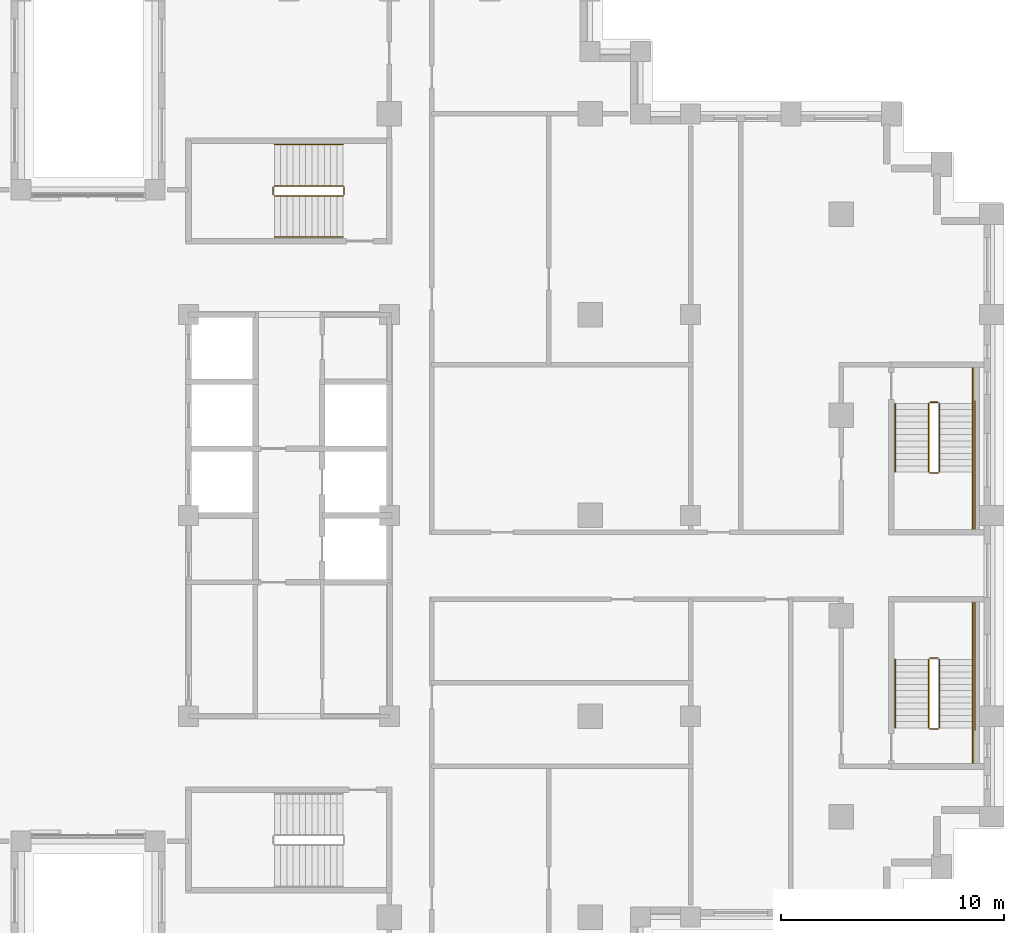
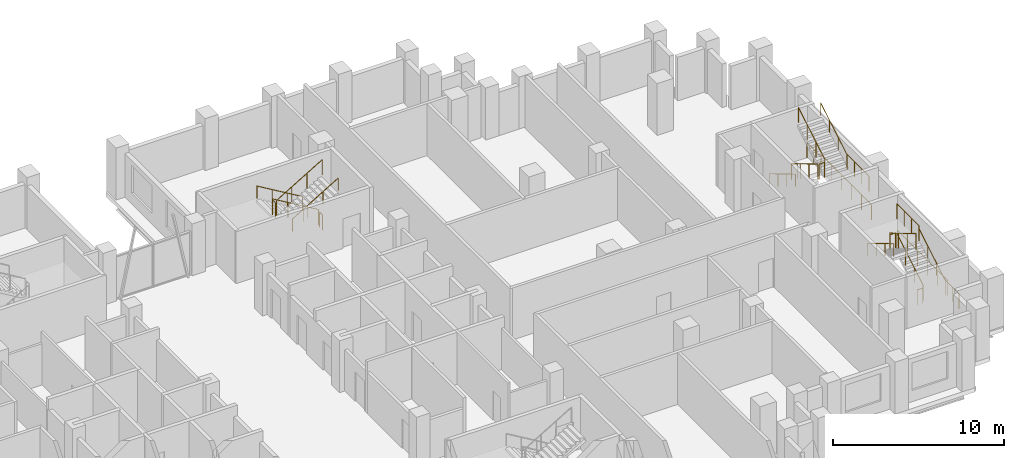
# One storey, part 16 of 16: 3 railings.
"""IFC4 building model written with IfcOpenShell, lengths in metres."""

from ifc_helpers import new_model, si_unit, direction, frame, origin, origin_2d, place, context, subcontext, project, spatial, circle, extrude, material, type_object, element, save


model = new_model("IFC4")

# Units and contexts
model_context = context("Model", 3, precision=1e-05, world=origin(), true_north=direction((0.0, 1.0)))
body_context = subcontext(model_context, "Body", "Model", "MODEL_VIEW")
ifc_project = project(units=[si_unit("LENGTHUNIT", "METRE"), si_unit("AREAUNIT", "SQUARE_METRE"), si_unit("VOLUMEUNIT", "CUBIC_METRE"), si_unit("PLANEANGLEUNIT", "RADIAN"), si_unit("MASSUNIT", "GRAM", prefix="KILO")], contexts=[model_context])

# Site, building, storey
site_placement = place(None, origin())
site = spatial("IfcSite", under=ifc_project, at=site_placement, CompositionType="ELEMENT")
building_placement = place(site_placement, origin())
building = spatial("IfcBuilding", under=site, at=building_placement, Name="Corbelhall Arena Tower", CompositionType="ELEMENT")
storey_placement = place(building_placement, frame((0.0, 0.0, 170.0)))
storey = spatial("IfcBuildingStorey", under=building, at=storey_placement, Name="L34", CompositionType="ELEMENT", Elevation=170.0)

# Railings
ifc_material = material(Name="Steel ASTM A500 Gr C", Category="steel")
railing_type = type_object("IfcRailingType", Name="IN-GD-1100", PredefinedType="GUARDRAIL", material=ifc_material)
railing_1_placement = place(storey_placement, frame((11.425048828125, 14.77490234375, 0.166748046875)))
element("IfcRailing", 1, at=railing_1_placement, inside=storey, type_object=railing_type, Name="L34 ST3 stair guards and handrails", PredefinedType="GUARDRAIL", context=body_context, shape_type="SweptSolid", body=[
    extrude(circle(Radius=0.02392578125, at=origin_2d()), frame((0.0, 0.0, 1.076171875), z_axis=(-0.859308565015, 0.0, 0.511457515432), x_axis=(0.0, -1.0, 0.0)), (0.0, 0.0, 1.0), 3.58447265625),
    extrude(circle(Radius=0.02392578125, at=origin_2d()), frame((-3.130126953125, -0.0498046875, 2.9091796875), z_axis=(0.0, -1.0, 0.0), x_axis=(1.0, 0.0, 0.0)), (0.0, 0.0, 1.0), 0.35009765625),
    extrude(circle(Radius=0.02392578125, at=origin_2d()), frame((-3.080078125, -0.449951171875, 3.076171875), z_axis=(0.859308565015, 0.0, 0.511457515432), x_axis=(0.0, 1.0, 0.0)), (0.0, 0.0, 1.0), 3.58447265625),
    extrude(circle(Radius=0.02392578125, at=origin_2d()), frame((0.050048828125, -0.0498046875, 0.9091796875), z_axis=(0.0, -1.0, 0.0), x_axis=(1.0, 0.0, 0.0)), (0.0, 0.0, 1.0), 0.35009765625),
    extrude(circle(Radius=0.02392578125, at=origin_2d()), frame((0.0, 1.85009765625, 0.8759765625), z_axis=(-0.859308565015, 0.0, 0.511457515432), x_axis=(0.0, -1.0, 0.0)), (0.0, 0.0, 1.0), 3.58447265625),
    extrude(circle(Radius=0.02392578125, at=origin_2d()), frame((-3.080078125, -2.2998046875, 2.8759765625), z_axis=(0.859308565015, 0.0, 0.511457515432), x_axis=(0.0, 1.0, 0.0)), (0.0, 0.0, 1.0), 3.58447265625),
    extrude(circle(Radius=0.02099609375, at=origin_2d()), origin(), (0.0, 0.0, 1.0), 1.052001953125),
    extrude(circle(Radius=0.02099609375, at=origin_2d()), frame((-1.026611328125, 0.0, 0.611083984375)), (0.0, 0.0, 1.0), 1.052001953125),
    extrude(circle(Radius=0.02099609375, at=origin_2d()), frame((-2.053466796875, 0.0, 1.22216796875)), (0.0, 0.0, 1.0), 1.052001953125),
    extrude(circle(Radius=0.02099609375, at=origin_2d()), frame((-3.080078125, 0.0, 1.833251953125)), (0.0, 0.0, 1.0), 1.052001953125),
    extrude(circle(Radius=0.02099609375, at=origin_2d()), frame((-3.130126953125, -0.0498046875, 1.833251953125)), (0.0, 0.0, 1.0), 1.052001953125),
    extrude(circle(Radius=0.02099609375, at=origin_2d()), frame((-3.130126953125, -0.39990234375, 1.833251953125)), (0.0, 0.0, 1.0), 1.052001953125),
    extrude(circle(Radius=0.02099609375, at=origin_2d()), frame((-3.080078125, -0.449951171875, 2.0)), (0.0, 0.0, 1.0), 1.052001953125),
    extrude(circle(Radius=0.02099609375, at=origin_2d()), frame((-2.053466796875, -0.449951171875, 2.611083984375)), (0.0, 0.0, 1.0), 1.052001953125),
    extrude(circle(Radius=0.02099609375, at=origin_2d()), frame((-1.026611328125, -0.449951171875, 3.22216796875)), (0.0, 0.0, 1.0), 1.052001953125),
    extrude(circle(Radius=0.02099609375, at=origin_2d()), frame((0.0, -0.449951171875, 3.833251953125)), (0.0, 0.0, 1.0), 1.052001953125),
    extrude(circle(Radius=0.02099609375, at=origin_2d()), frame((0.050048828125, -0.0498046875, -0.166748046875)), (0.0, 0.0, 1.0), 1.052001953125),
    extrude(circle(Radius=0.02099609375, at=origin_2d()), frame((0.050048828125, -0.39990234375, -0.166748046875)), (0.0, 0.0, 1.0), 1.052001953125),
    extrude(circle(Radius=0.02099609375, at=origin_2d()), frame((0.0, 1.85009765625, 0.0)), (0.0, 0.0, 1.0), 0.851806640625),
    extrude(circle(Radius=0.02099609375, at=origin_2d()), frame((-1.026611328125, 1.85009765625, 0.611083984375)), (0.0, 0.0, 1.0), 0.851806640625),
    extrude(circle(Radius=0.02099609375, at=origin_2d()), frame((-2.053466796875, 1.85009765625, 1.22216796875)), (0.0, 0.0, 1.0), 0.851806640625),
    extrude(circle(Radius=0.02099609375, at=origin_2d()), frame((-3.080078125, 1.85009765625, 1.833251953125)), (0.0, 0.0, 1.0), 0.851806640625),
    extrude(circle(Radius=0.02099609375, at=origin_2d()), frame((-3.080078125, -2.2998046875, 2.0)), (0.0, 0.0, 1.0), 0.851806640625),
    extrude(circle(Radius=0.02099609375, at=origin_2d()), frame((-2.053466796875, -2.2998046875, 2.611083984375)), (0.0, 0.0, 1.0), 0.851806640625),
    extrude(circle(Radius=0.02099609375, at=origin_2d()), frame((-1.026611328125, -2.2998046875, 3.22216796875)), (0.0, 0.0, 1.0), 0.851806640625),
    extrude(circle(Radius=0.02099609375, at=origin_2d()), frame((0.0, -2.2998046875, 3.833251953125)), (0.0, 0.0, 1.0), 0.851806640625),
])
railing_2_placement = place(storey_placement, frame((38.14990234375, -9.52490234375, 0.166748046875)))
element("IfcRailing", 2, at=railing_2_placement, inside=storey, type_object=railing_type, Name="L34 SD1 stair guards and handrails", PredefinedType="GUARDRAIL", context=body_context, shape_type="SweptSolid", body=[
    extrude(circle(Radius=0.02392578125, at=origin_2d()), frame((0.0, 0.0, 1.076171875), z_axis=(0.0, 0.859290745958, 0.51148745235), x_axis=(-1.0, 0.0, 0.0)), (0.0, 0.0, 1.0), 3.584228515625),
    extrude(circle(Radius=0.02392578125, at=origin_2d()), frame((-0.0498046875, 3.1298828125, 2.9091796875), z_axis=(-1.0, 0.0, 0.0), x_axis=(0.0, -1.0, 0.0)), (0.0, 0.0, 1.0), 0.375),
    extrude(circle(Radius=0.02392578125, at=origin_2d()), frame((1.5, 3.079833984375, 2.9091796875), z_axis=(0.0, 1.0, 0.0), x_axis=(-1.0, 0.0, 0.0)), (0.0, 0.0, 1.0), 2.570068359375),
    extrude(circle(Radius=0.02392578125, at=origin_2d()), frame((-0.474853515625, 3.079833984375, 3.076171875), z_axis=(0.0, -0.859290745958, 0.51148745235), x_axis=(1.0, 0.0, 0.0)), (0.0, 0.0, 1.0), 3.584228515625),
    extrude(circle(Radius=0.02392578125, at=origin_2d()), frame((-0.0498046875, -0.050048828125, 0.9091796875), z_axis=(-1.0, 0.0, 0.0), x_axis=(0.0, -1.0, 0.0)), (0.0, 0.0, 1.0), 0.375),
    extrude(circle(Radius=0.02392578125, at=origin_2d()), frame((1.5, -1.60009765625, 0.9091796875), z_axis=(0.0, 1.0, 0.0), x_axis=(-1.0, 0.0, 0.0)), (0.0, 0.0, 1.0), 1.60009765625),
    extrude(circle(Radius=0.02392578125, at=origin_2d()), frame((1.60009765625, -0.10009765625, 0.9091796875), z_axis=(0.0, 1.0, 0.0), x_axis=(-1.0, 0.0, 0.0)), (0.0, 0.0, 1.0), 5.85009765625),
    extrude(circle(Radius=0.02392578125, at=origin_2d()), frame((1.5, 0.0, 0.8759765625), z_axis=(0.0, 0.859290745958, 0.51148745235), x_axis=(-1.0, 0.0, 0.0)), (0.0, 0.0, 1.0), 3.584228515625),
    extrude(circle(Radius=0.02392578125, at=origin_2d()), frame((-1.974853515625, 3.079833984375, 2.8759765625), z_axis=(0.0, -0.859290745958, 0.51148745235), x_axis=(1.0, 0.0, 0.0)), (0.0, 0.0, 1.0), 3.584228515625),
    extrude(circle(Radius=0.02099609375, at=origin_2d()), origin(), (0.0, 0.0, 1.0), 1.052001953125),
    extrude(circle(Radius=0.02099609375, at=origin_2d()), frame((0.0, 1.026611328125, 0.611083984375)), (0.0, 0.0, 1.0), 1.052001953125),
    extrude(circle(Radius=0.02099609375, at=origin_2d()), frame((0.0, 2.05322265625, 1.22216796875)), (0.0, 0.0, 1.0), 1.052001953125),
    extrude(circle(Radius=0.02099609375, at=origin_2d()), frame((0.0, 3.079833984375, 1.833251953125)), (0.0, 0.0, 1.0), 1.052001953125),
    extrude(circle(Radius=0.02099609375, at=origin_2d()), frame((-0.0498046875, 3.1298828125, 1.833251953125)), (0.0, 0.0, 1.0), 1.052001953125),
    extrude(circle(Radius=0.02099609375, at=origin_2d()), frame((-0.4248046875, 3.1298828125, 1.833251953125)), (0.0, 0.0, 1.0), 1.052001953125),
    extrude(circle(Radius=0.02099609375, at=origin_2d()), frame((1.5, 3.079833984375, 1.833251953125)), (0.0, 0.0, 1.0), 1.052001953125),
    extrude(circle(Radius=0.02099609375, at=origin_2d()), frame((1.5, 3.9365234375, 1.833251953125)), (0.0, 0.0, 1.0), 1.052001953125),
    extrude(circle(Radius=0.02099609375, at=origin_2d()), frame((1.5, 4.793212890625, 1.833251953125)), (0.0, 0.0, 1.0), 1.052001953125),
    extrude(circle(Radius=0.02099609375, at=origin_2d()), frame((1.5, 5.64990234375, 1.833251953125)), (0.0, 0.0, 1.0), 1.052001953125),
    extrude(circle(Radius=0.02099609375, at=origin_2d()), frame((-0.474853515625, 3.079833984375, 2.0)), (0.0, 0.0, 1.0), 1.052001953125),
    extrude(circle(Radius=0.02099609375, at=origin_2d()), frame((-0.474853515625, 2.05322265625, 2.611083984375)), (0.0, 0.0, 1.0), 1.052001953125),
    extrude(circle(Radius=0.02099609375, at=origin_2d()), frame((-0.474853515625, 1.026611328125, 3.22216796875)), (0.0, 0.0, 1.0), 1.052001953125),
    extrude(circle(Radius=0.02099609375, at=origin_2d()), frame((-0.474853515625, 0.0, 3.833251953125)), (0.0, 0.0, 1.0), 1.052001953125),
    extrude(circle(Radius=0.02099609375, at=origin_2d()), frame((-0.0498046875, -0.050048828125, -0.166748046875)), (0.0, 0.0, 1.0), 1.052001953125),
    extrude(circle(Radius=0.02099609375, at=origin_2d()), frame((-0.4248046875, -0.050048828125, -0.166748046875)), (0.0, 0.0, 1.0), 1.052001953125),
    extrude(circle(Radius=0.02099609375, at=origin_2d()), frame((1.5, -1.60009765625, -0.166748046875)), (0.0, 0.0, 1.0), 1.052001953125),
    extrude(circle(Radius=0.02099609375, at=origin_2d()), frame((1.5, -0.800048828125, -0.166748046875)), (0.0, 0.0, 1.0), 1.052001953125),
    extrude(circle(Radius=0.02099609375, at=origin_2d()), frame((1.5, 0.0, -0.166748046875)), (0.0, 0.0, 1.0), 1.052001953125),
    extrude(circle(Radius=0.02099609375, at=origin_2d()), frame((1.60009765625, -0.10009765625, -0.166748046875)), (0.0, 0.0, 1.0), 1.052001953125),
    extrude(circle(Radius=0.02099609375, at=origin_2d()), frame((1.60009765625, 1.06982421875, -0.166748046875)), (0.0, 0.0, 1.0), 1.052001953125),
    extrude(circle(Radius=0.02099609375, at=origin_2d()), frame((1.60009765625, 2.239990234375, -0.166748046875)), (0.0, 0.0, 1.0), 1.052001953125),
    extrude(circle(Radius=0.02099609375, at=origin_2d()), frame((1.60009765625, 3.409912109375, -0.166748046875)), (0.0, 0.0, 1.0), 1.052001953125),
    extrude(circle(Radius=0.02099609375, at=origin_2d()), frame((1.60009765625, 4.580078125, -0.166748046875)), (0.0, 0.0, 1.0), 1.052001953125),
    extrude(circle(Radius=0.02099609375, at=origin_2d()), frame((1.60009765625, 5.75, -0.166748046875)), (0.0, 0.0, 1.0), 1.052001953125),
    extrude(circle(Radius=0.02099609375, at=origin_2d()), frame((1.5, 0.0, 0.0)), (0.0, 0.0, 1.0), 0.851806640625),
    extrude(circle(Radius=0.02099609375, at=origin_2d()), frame((1.5, 1.026611328125, 0.611083984375)), (0.0, 0.0, 1.0), 0.851806640625),
    extrude(circle(Radius=0.02099609375, at=origin_2d()), frame((1.5, 2.05322265625, 1.22216796875)), (0.0, 0.0, 1.0), 0.851806640625),
    extrude(circle(Radius=0.02099609375, at=origin_2d()), frame((-1.974853515625, 3.079833984375, 2.0)), (0.0, 0.0, 1.0), 0.851806640625),
    extrude(circle(Radius=0.02099609375, at=origin_2d()), frame((-1.974853515625, 2.05322265625, 2.611083984375)), (0.0, 0.0, 1.0), 0.851806640625),
    extrude(circle(Radius=0.02099609375, at=origin_2d()), frame((-1.974853515625, 1.026611328125, 3.22216796875)), (0.0, 0.0, 1.0), 0.851806640625),
    extrude(circle(Radius=0.02099609375, at=origin_2d()), frame((-1.974853515625, 0.0, 3.833251953125)), (0.0, 0.0, 1.0), 0.851806640625),
])
railing_3_placement = place(storey_placement, frame((37.675048828125, 5.02490234375, 0.166748046875)))
element("IfcRailing", 3, at=railing_3_placement, inside=storey, type_object=railing_type, Name="L34 SD2 stair guards and handrails", PredefinedType="GUARDRAIL", context=body_context, shape_type="SweptSolid", body=[
    extrude(circle(Radius=0.02392578125, at=origin_2d()), frame((0.0, 0.0, 1.076171875), z_axis=(0.0, -0.859290745958, 0.51148745235), x_axis=(1.0, 0.0, 0.0)), (0.0, 0.0, 1.0), 3.584228515625),
    extrude(circle(Radius=0.02392578125, at=origin_2d()), frame((0.050048828125, -3.1298828125, 2.9091796875), z_axis=(1.0, 0.0, 0.0), x_axis=(0.0, 1.0, 0.0)), (0.0, 0.0, 1.0), 0.375),
    extrude(circle(Radius=0.02392578125, at=origin_2d()), frame((1.974853515625, -3.079833984375, 2.9091796875), z_axis=(0.0, -1.0, 0.0), x_axis=(1.0, 0.0, 0.0)), (0.0, 0.0, 1.0), 2.570068359375),
    extrude(circle(Radius=0.02392578125, at=origin_2d()), frame((0.474853515625, -3.079833984375, 3.076171875), z_axis=(0.0, 0.859290745958, 0.51148745235), x_axis=(-1.0, 0.0, 0.0)), (0.0, 0.0, 1.0), 3.584228515625),
    extrude(circle(Radius=0.02392578125, at=origin_2d()), frame((0.050048828125, 0.050048828125, 0.9091796875), z_axis=(1.0, 0.0, 0.0), x_axis=(0.0, 1.0, 0.0)), (0.0, 0.0, 1.0), 0.375),
    extrude(circle(Radius=0.02392578125, at=origin_2d()), frame((1.974853515625, 1.60009765625, 0.9091796875), z_axis=(0.0, -1.0, 0.0), x_axis=(1.0, 0.0, 0.0)), (0.0, 0.0, 1.0), 1.60009765625),
    extrude(circle(Radius=0.02392578125, at=origin_2d()), frame((2.074951171875, 0.10009765625, 0.9091796875), z_axis=(0.0, -1.0, 0.0), x_axis=(1.0, 0.0, 0.0)), (0.0, 0.0, 1.0), 5.85009765625),
    extrude(circle(Radius=0.02392578125, at=origin_2d()), frame((-1.5, 0.0, 0.8759765625), z_axis=(0.0, -0.859290745958, 0.51148745235), x_axis=(1.0, 0.0, 0.0)), (0.0, 0.0, 1.0), 3.584228515625),
    extrude(circle(Radius=0.02392578125, at=origin_2d()), frame((1.974853515625, -3.079833984375, 2.8759765625), z_axis=(0.0, 0.859290745958, 0.51148745235), x_axis=(-1.0, 0.0, 0.0)), (0.0, 0.0, 1.0), 3.584228515625),
    extrude(circle(Radius=0.02099609375, at=origin_2d()), origin(), (0.0, 0.0, 1.0), 1.052001953125),
    extrude(circle(Radius=0.02099609375, at=origin_2d()), frame((0.0, -1.026611328125, 0.611083984375)), (0.0, 0.0, 1.0), 1.052001953125),
    extrude(circle(Radius=0.02099609375, at=origin_2d()), frame((0.0, -2.05322265625, 1.22216796875)), (0.0, 0.0, 1.0), 1.052001953125),
    extrude(circle(Radius=0.02099609375, at=origin_2d()), frame((0.0, -3.079833984375, 1.833251953125)), (0.0, 0.0, 1.0), 1.052001953125),
    extrude(circle(Radius=0.02099609375, at=origin_2d()), frame((0.050048828125, -3.1298828125, 1.833251953125)), (0.0, 0.0, 1.0), 1.052001953125),
    extrude(circle(Radius=0.02099609375, at=origin_2d()), frame((0.425048828125, -3.1298828125, 1.833251953125)), (0.0, 0.0, 1.0), 1.052001953125),
    extrude(circle(Radius=0.02099609375, at=origin_2d()), frame((1.974853515625, -3.079833984375, 1.833251953125)), (0.0, 0.0, 1.0), 1.052001953125),
    extrude(circle(Radius=0.02099609375, at=origin_2d()), frame((1.974853515625, -3.9365234375, 1.833251953125)), (0.0, 0.0, 1.0), 1.052001953125),
    extrude(circle(Radius=0.02099609375, at=origin_2d()), frame((1.974853515625, -4.793212890625, 1.833251953125)), (0.0, 0.0, 1.0), 1.052001953125),
    extrude(circle(Radius=0.02099609375, at=origin_2d()), frame((1.974853515625, -5.64990234375, 1.833251953125)), (0.0, 0.0, 1.0), 1.052001953125),
    extrude(circle(Radius=0.02099609375, at=origin_2d()), frame((0.474853515625, -3.079833984375, 2.0)), (0.0, 0.0, 1.0), 1.052001953125),
    extrude(circle(Radius=0.02099609375, at=origin_2d()), frame((0.474853515625, -2.05322265625, 2.611083984375)), (0.0, 0.0, 1.0), 1.052001953125),
    extrude(circle(Radius=0.02099609375, at=origin_2d()), frame((0.474853515625, -1.026611328125, 3.22216796875)), (0.0, 0.0, 1.0), 1.052001953125),
    extrude(circle(Radius=0.02099609375, at=origin_2d()), frame((0.474853515625, 0.0, 3.833251953125)), (0.0, 0.0, 1.0), 1.052001953125),
    extrude(circle(Radius=0.02099609375, at=origin_2d()), frame((0.050048828125, 0.050048828125, -0.166748046875)), (0.0, 0.0, 1.0), 1.052001953125),
    extrude(circle(Radius=0.02099609375, at=origin_2d()), frame((0.425048828125, 0.050048828125, -0.166748046875)), (0.0, 0.0, 1.0), 1.052001953125),
    extrude(circle(Radius=0.02099609375, at=origin_2d()), frame((1.974853515625, 1.60009765625, -0.166748046875)), (0.0, 0.0, 1.0), 1.052001953125),
    extrude(circle(Radius=0.02099609375, at=origin_2d()), frame((1.974853515625, 0.800048828125, -0.166748046875)), (0.0, 0.0, 1.0), 1.052001953125),
    extrude(circle(Radius=0.02099609375, at=origin_2d()), frame((1.974853515625, 0.0, -0.166748046875)), (0.0, 0.0, 1.0), 1.052001953125),
    extrude(circle(Radius=0.02099609375, at=origin_2d()), frame((2.074951171875, 0.10009765625, -0.166748046875)), (0.0, 0.0, 1.0), 1.052001953125),
    extrude(circle(Radius=0.02099609375, at=origin_2d()), frame((2.074951171875, -1.06982421875, -0.166748046875)), (0.0, 0.0, 1.0), 1.052001953125),
    extrude(circle(Radius=0.02099609375, at=origin_2d()), frame((2.074951171875, -2.239990234375, -0.166748046875)), (0.0, 0.0, 1.0), 1.052001953125),
    extrude(circle(Radius=0.02099609375, at=origin_2d()), frame((2.074951171875, -3.409912109375, -0.166748046875)), (0.0, 0.0, 1.0), 1.052001953125),
    extrude(circle(Radius=0.02099609375, at=origin_2d()), frame((2.074951171875, -4.580078125, -0.166748046875)), (0.0, 0.0, 1.0), 1.052001953125),
    extrude(circle(Radius=0.02099609375, at=origin_2d()), frame((2.074951171875, -5.75, -0.166748046875)), (0.0, 0.0, 1.0), 1.052001953125),
    extrude(circle(Radius=0.02099609375, at=origin_2d()), frame((-1.5, 0.0, 0.0)), (0.0, 0.0, 1.0), 0.851806640625),
    extrude(circle(Radius=0.02099609375, at=origin_2d()), frame((-1.5, -1.026611328125, 0.611083984375)), (0.0, 0.0, 1.0), 0.851806640625),
    extrude(circle(Radius=0.02099609375, at=origin_2d()), frame((-1.5, -2.05322265625, 1.22216796875)), (0.0, 0.0, 1.0), 0.851806640625),
    extrude(circle(Radius=0.02099609375, at=origin_2d()), frame((-1.5, -3.079833984375, 1.833251953125)), (0.0, 0.0, 1.0), 0.851806640625),
    extrude(circle(Radius=0.02099609375, at=origin_2d()), frame((1.974853515625, -3.079833984375, 2.0)), (0.0, 0.0, 1.0), 0.851806640625),
    extrude(circle(Radius=0.02099609375, at=origin_2d()), frame((1.974853515625, -2.05322265625, 2.611083984375)), (0.0, 0.0, 1.0), 0.851806640625),
    extrude(circle(Radius=0.02099609375, at=origin_2d()), frame((1.974853515625, -1.026611328125, 3.22216796875)), (0.0, 0.0, 1.0), 0.851806640625),
    extrude(circle(Radius=0.02099609375, at=origin_2d()), frame((1.974853515625, 0.0, 3.833251953125)), (0.0, 0.0, 1.0), 0.851806640625),
])

save(model, "model.ifc")
